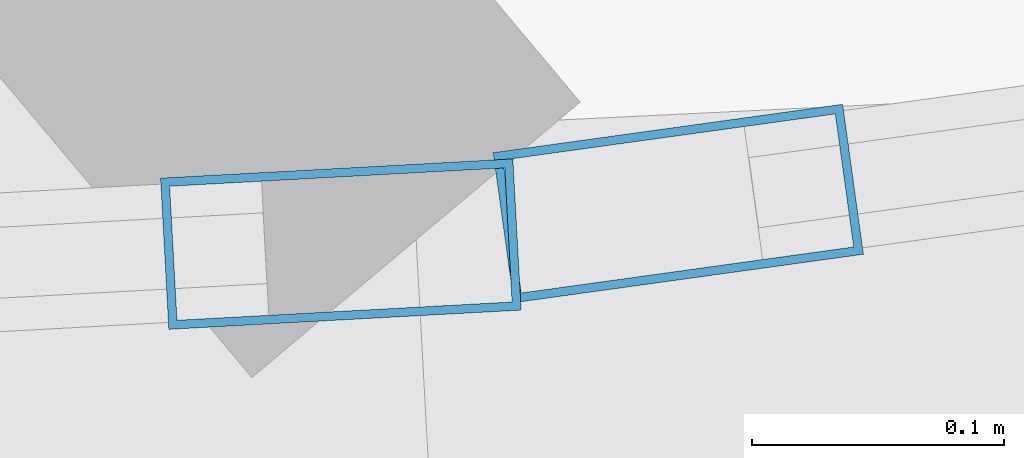
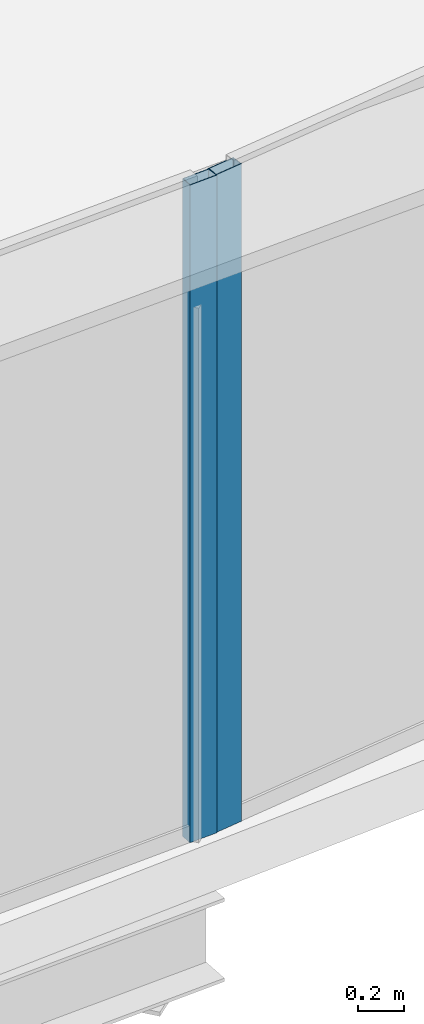
# One storey, part 12 of 36: 2 members, 2 elements without a shape of their own.
"""IFC4 building model written with IfcOpenShell, lengths in metres."""

import ifcopenshell
import ifcopenshell.guid

model = None  # the IFC model being written
_history = None  # IfcOwnerHistory: only IFC2X3 demands one
_inside = {}  # id of a spatial element -> (the spatial element, [elements in it])
_under = {}  # id of a project, library or spatial element -> (it, [spatial elements below it])
_declared = {}  # id of a project -> (the project, [libraries it declares])
_typed = {}  # id of a type object -> (the type object, [elements of that type])
_made_of = {}  # id of a material, layer set ... -> (it, [elements and type objects made of it])


def new_model(schema):
    """Start an empty IFC model of exactly this schema.

    Asked for "IFC4X3", IfcOpenShell would pick the latest addendum, in which some entities
    have other attributes; the version numbers below select the first issue.
    IFC2X3 requires an IfcOwnerHistory on every rooted entity: one is made here for all.
    """
    global model, _history
    if schema == "IFC4X3":
        model = ifcopenshell.file(schema_version=(4, 3, 0, 0))
    else:
        model = ifcopenshell.file(schema=schema)
    _inside.clear()
    _under.clear()
    _declared.clear()
    _typed.clear()
    _made_of.clear()
    _history = None
    if model.schema == "IFC2X3":
        org = make("IfcOrganization", Name="unknown")
        user = make(
            "IfcPersonAndOrganization",
            ThePerson=make("IfcPerson", FamilyName="unknown"),
            TheOrganization=org,
        )
        app = make(
            "IfcApplication",
            ApplicationDeveloper=org,
            Version="unknown",
            ApplicationFullName="unknown",
            ApplicationIdentifier="unknown",
        )
        _history = make(
            "IfcOwnerHistory",
            OwningUser=user,
            OwningApplication=app,
            ChangeAction="ADDED",
            CreationDate=0,
        )
    return model


def make(cls, **values):
    """One entity of the class cls with the attributes given. An attribute that is None is left unset."""
    return model.create_entity(
        cls, **{name: value for name, value in values.items() if value is not None}
    )


def rooted(cls, **values):
    """An entity with a GlobalId (a new one), such as an element, a storey or a relation."""
    return make(cls, GlobalId=ifcopenshell.guid.new(), OwnerHistory=_history, **values)


def si_unit(unit_type, name, prefix=None):
    """IfcSIUnit, for example si_unit("LENGTHUNIT", "METRE", prefix="MILLI")."""
    return make("IfcSIUnit", UnitType=unit_type, Prefix=prefix, Name=name)


def assignment(units):
    """IfcUnitAssignment: the units of a project."""
    return None if units is None else make("IfcUnitAssignment", Units=units)


def point(xyz):
    """IfcCartesianPoint."""
    return None if xyz is None else make("IfcCartesianPoint", Coordinates=xyz)


def direction(xyz):
    """IfcDirection."""
    return None if xyz is None else make("IfcDirection", DirectionRatios=xyz)


def frame(location, z_axis=None, x_axis=None):
    """IfcAxis2Placement3D, a coordinate frame: its origin and axes. An axis left out is left unset."""
    return make(
        "IfcAxis2Placement3D",
        Location=point(location),
        Axis=direction(z_axis),
        RefDirection=direction(x_axis),
    )


def frame_2d(location, x_axis=None):
    """IfcAxis2Placement2D, a coordinate frame in the plane: its origin and x axis."""
    return make(
        "IfcAxis2Placement2D", Location=point(location), RefDirection=direction(x_axis)
    )


def origin():
    """The frame at (0, 0, 0) with its axes left unset."""
    return frame((0.0, 0.0, 0.0))


def origin_2d():
    """The frame at (0, 0) in the plane with its x axis left unset."""
    return frame_2d((0.0, 0.0))


def place(relative_to, where):
    """IfcLocalPlacement: puts the frame where relative to a parent placement (None: the world)."""
    return make(
        "IfcLocalPlacement", PlacementRelTo=relative_to, RelativePlacement=where
    )


def context(
    kind, dimensions, precision=None, world=None, true_north=None, identifier=None
):
    """IfcGeometricRepresentationContext, for example the 3D "Model" context."""
    return make(
        "IfcGeometricRepresentationContext",
        ContextIdentifier=identifier,
        ContextType=kind,
        CoordinateSpaceDimension=dimensions,
        Precision=precision,
        WorldCoordinateSystem=world,
        TrueNorth=true_north,
    )


def subcontext(parent, identifier, kind, view, scale=None):
    """IfcGeometricRepresentationSubContext, for example "Body" below "Model"."""
    return make(
        "IfcGeometricRepresentationSubContext",
        ContextIdentifier=identifier,
        ContextType=kind,
        ParentContext=parent,
        TargetScale=scale,
        TargetView=view,
    )


def project(units=None, contexts=None):
    """IfcProject with its units and contexts."""
    return rooted(
        "IfcProject",
        Name="project",
        RepresentationContexts=contexts,
        UnitsInContext=assignment(units),
    )


def spatial(cls, under=None, at=None, **own):
    """A site, building, storey or space (cls), placed at a placement, below another one or the project."""
    s = rooted(cls, ObjectPlacement=at, **own)
    if under is not None:
        _under.setdefault(under.id(), (under, []))[1].append(s)
    return s


def profile(cls, at=None, kind="AREA", **sizes):
    """A parametric profile (cls). Its sizes go by their IFC names, for example OverallWidth=200.0."""
    return make(cls, ProfileType=kind, Position=at, **sizes)


def hollow_rectangle(**sizes):
    """IfcRectangleHollowProfileDef."""
    return profile("IfcRectangleHollowProfileDef", **sizes)


def extrude(swept, where, along, depth):
    """IfcExtrudedAreaSolid: the profile swept, set in the frame where, extruded along a direction by depth."""
    return make(
        "IfcExtrudedAreaSolid",
        SweptArea=swept,
        Position=where,
        ExtrudedDirection=direction(along),
        Depth=depth,
    )


def shape(context_of_items, identifier, shape_type, items):
    """IfcShapeRepresentation: the items that make up one representation, for example the "Body"."""
    return make(
        "IfcShapeRepresentation",
        ContextOfItems=context_of_items,
        RepresentationIdentifier=identifier,
        RepresentationType=shape_type,
        Items=items,
    )


def source(mapping_origin, context_of_items, identifier, shape_type, items):
    """IfcRepresentationMap: a shape defined once, which mapped items show again and again."""
    return make(
        "IfcRepresentationMap",
        MappingOrigin=mapping_origin,
        MappedRepresentation=shape(context_of_items, identifier, shape_type, items),
    )


def transform(
    local_origin,
    x_axis=None,
    y_axis=None,
    z_axis=None,
    scale=None,
    scale2=None,
    scale3=None,
    uniform=True,
):
    """IfcCartesianTransformationOperator3D, or its non-uniform kind. x_axis, y_axis, z_axis: its Axis1, 2, 3."""
    if uniform:
        return make(
            "IfcCartesianTransformationOperator3D",
            Axis1=direction(x_axis),
            Axis2=direction(y_axis),
            LocalOrigin=point(local_origin),
            Scale=scale,
            Axis3=direction(z_axis),
        )
    return make(
        "IfcCartesianTransformationOperator3DnonUniform",
        Axis1=direction(x_axis),
        Axis2=direction(y_axis),
        LocalOrigin=point(local_origin),
        Scale=scale,
        Axis3=direction(z_axis),
        Scale2=scale2,
        Scale3=scale3,
    )


def mapped(mapping_source, mapping_target):
    """IfcMappedItem: shows the shape of a source again, moved by a transform."""
    return make(
        "IfcMappedItem", MappingSource=mapping_source, MappingTarget=mapping_target
    )


def material(Name=None, Category=None):
    """IfcMaterial."""
    return make("IfcMaterial", Name=Name, Category=Category)


def layer(
    of_material, thickness, ventilated=None, Name=None, Category=None, Priority=None
):
    """IfcMaterialLayer: one layer of a wall or slab, of a material (None: an air gap)."""
    return make(
        "IfcMaterialLayer",
        Material=of_material,
        LayerThickness=thickness,
        IsVentilated=ventilated,
        Name=Name,
        Category=Category,
        Priority=Priority,
    )


def layer_set(layers, Name=None):
    """IfcMaterialLayerSet."""
    return make("IfcMaterialLayerSet", MaterialLayers=layers, LayerSetName=Name)


def material_profile(
    of_material, cross_section, Name=None, Category=None, Priority=None
):
    """IfcMaterialProfile: a cross section and its material."""
    return make(
        "IfcMaterialProfile",
        Name=Name,
        Material=of_material,
        Profile=cross_section,
        Priority=Priority,
        Category=Category,
    )


def profile_set(profiles, Name=None, composite=None):
    """IfcMaterialProfileSet."""
    return make(
        "IfcMaterialProfileSet",
        Name=Name,
        MaterialProfiles=profiles,
        CompositeProfile=composite,
    )


def made_of(thing, what):
    """Note that an element or type object is made of a material, layer set ...; save() writes the relation."""
    if what is not None:
        _made_of.setdefault(what.id(), (what, []))[1].append(thing)
    return thing


def type_object(cls, material=None, **own):
    """A type object (cls), such as IfcWallType, which elements share."""
    return made_of(rooted(cls, **own), material)


def element(
    cls,
    number,
    at=None,
    inside=None,
    cuts=None,
    type_object=None,
    material=None,
    context=None,
    identifier="Body",
    shape_type=None,
    held_by="IfcProductDefinitionShape",
    body=None,
    shapes=None,
    **own,
):
    """One element of the class cls, such as IfcWall. Its Tag is "e" and its number.

    at: its placement. inside: the storey or other place that contains it. cuts: it is an
    opening in that element (IfcRelVoidsElement). A single representation is given by context,
    identifier, shape_type and body (its items); several are given by shapes. held_by: the class
    of the entity that holds the representations. save() writes the other relations.
    """
    e = rooted(cls, Tag="e%d" % number, ObjectPlacement=at, **own)
    if body is not None:
        shapes = [shape(context, identifier, shape_type, body)]
    if shapes is not None:
        e.Representation = make(held_by, Representations=shapes)
    if inside is not None:
        _inside.setdefault(inside.id(), (inside, []))[1].append(e)
    if cuts is not None:
        rooted(
            "IfcRelVoidsElement", RelatingBuildingElement=cuts, RelatedOpeningElement=e
        )
    if type_object is not None:
        _typed.setdefault(type_object.id(), (type_object, []))[1].append(e)
    return made_of(e, material)


def aggregate(whole, parts):
    """IfcRelAggregates: a whole, such as a stair, and the parts it consists of."""
    return rooted("IfcRelAggregates", RelatingObject=whole, RelatedObjects=parts)


def save(model, path):
    """Write the relations noted so far, then the file.

    IfcRelAggregates (storeys below a building ...), IfcRelContainedInSpatialStructure (elements
    in a storey), IfcRelDefinesByType, IfcRelAssociatesMaterial and IfcRelDeclares: one each for
    every whole, place, type object, material and project.
    """
    for whole, parts in _under.values():
        aggregate(whole, parts)
    for where, things in _inside.values():
        rooted(
            "IfcRelContainedInSpatialStructure",
            RelatedElements=things,
            RelatingStructure=where,
        )
    for kind, things in _typed.values():
        rooted("IfcRelDefinesByType", RelatedObjects=things, RelatingType=kind)
    for what, things in _made_of.values():
        rooted("IfcRelAssociatesMaterial", RelatedObjects=things, RelatingMaterial=what)
    for by, libraries in _declared.values():
        rooted("IfcRelDeclares", RelatingContext=by, RelatedDefinitions=libraries)
    model.write(path)


model = new_model("IFC4")

# Units and contexts
model_context = context("Model", 3, precision=1e-05, world=origin(), true_north=direction((0.0, 1.0)))
body_context = subcontext(model_context, "Body", "Model", "MODEL_VIEW")
ifc_project = project(units=[si_unit("LENGTHUNIT", "METRE"), si_unit("AREAUNIT", "SQUARE_METRE"), si_unit("VOLUMEUNIT", "CUBIC_METRE"), si_unit("PLANEANGLEUNIT", "RADIAN"), si_unit("MASSUNIT", "GRAM", prefix="KILO"), si_unit("THERMODYNAMICTEMPERATUREUNIT", "KELVIN"), si_unit("POWERUNIT", "WATT")], contexts=[model_context])

# Site, building, storey
site_placement = place(None, origin())
site = spatial("IfcSite", under=ifc_project, at=site_placement, CompositionType="ELEMENT")
building_placement = place(site_placement, origin())
building = spatial("IfcBuilding", under=site, at=building_placement, Name="Yunzhuo Pagoda Commons", CompositionType="ELEMENT")
storey_placement = place(building_placement, frame((0.0, 0.0, 248.260009765625)))
storey = spatial("IfcBuildingStorey", under=building, at=storey_placement, Name="L62", CompositionType="ELEMENT", Elevation=248.260009765625)

# Curtain wall, member
ifc_material = material(Name="Anodized aluminium 6063-T6", Category="aluminium")
ifc_layer = layer(ifc_material, 0.139892578125)
ifc_layer_set = layer_set([ifc_layer], Name="Anodized aluminium 6063-T6")
curtain_wall_type = type_object("IfcCurtainWallType", Name="CW-HI High-Zone Ribbon Curtain Wall", PredefinedType="NOTDEFINED", material=ifc_layer_set)
curtain_wall_1_placement = place(storey_placement, origin())
curtain_wall_1 = element("IfcCurtainWall", 1, at=curtain_wall_1_placement, inside=storey, type_object=curtain_wall_type, Name="L62 curtain wall CW-L62-F1B4", PredefinedType="NOTDEFINED")
ifc_material_profile = material_profile(ifc_material, hollow_rectangle(XDim=0.06005859375, YDim=0.139892578125, WallThickness=0.00341796875, at=origin_2d()), Name="Anodized aluminium 6063-T6")
ifc_profile_set = profile_set([ifc_material_profile], Name="Anodized aluminium 6063-T6")
member_type = type_object("IfcMemberType", Name="CW-HI-M Mullion RHS 140x60x3.5", PredefinedType="MULLION", material=ifc_profile_set)
shared_shape = source(origin(), body_context, "Body", "SweptSolid", [
    extrude(hollow_rectangle(XDim=0.06005859375, YDim=0.139892578125, WallThickness=0.00341796875, at=origin_2d()), origin(), (0.0, 0.0, 1.0), 3.47021484375),
])
member_1_placement = place(storey_placement, frame((62.079345703125, 16.883544921875, 0.0), z_axis=(0.0, 0.0, 1.0), x_axis=(-0.054497194278, 0.998513923697, 0.0)))
member_1 = element("IfcMember", 2, at=member_1_placement, type_object=member_type, Name="CW mullion 2", PredefinedType="MULLION", context=body_context, shape_type="MappedRepresentation", body=[
    mapped(shared_shape, transform((0.0, 0.0, 0.0), scale=1.0)),
])
aggregate(curtain_wall_1, [member_1])

curtain_wall_2_placement = place(storey_placement, origin())
curtain_wall_2 = element("IfcCurtainWall", 3, at=curtain_wall_2_placement, inside=storey, type_object=curtain_wall_type, Name="L62 curtain wall CW-L62-F1B5", PredefinedType="NOTDEFINED")
member_2_placement = place(storey_placement, frame((62.213134765625, 16.899658203125, 0.0), z_axis=(0.0, 0.0, 1.0), x_axis=(-0.137250412651, 0.990536382082, 0.0)))
member_2 = element("IfcMember", 4, at=member_2_placement, type_object=member_type, Name="CW mullion 1", PredefinedType="MULLION", context=body_context, shape_type="MappedRepresentation", body=[
    mapped(shared_shape, transform((0.0, 0.0, 0.0), scale=1.0)),
])
aggregate(curtain_wall_2, [member_2])

save(model, "model.ifc")
